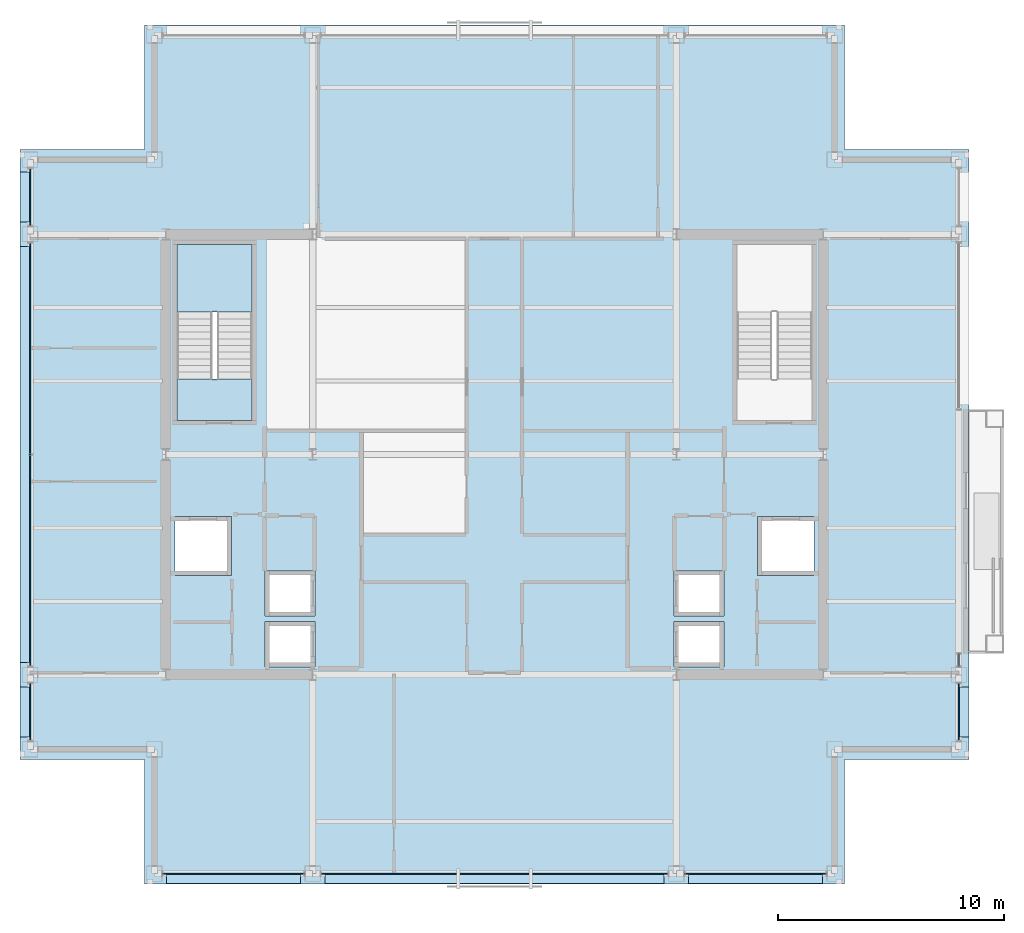
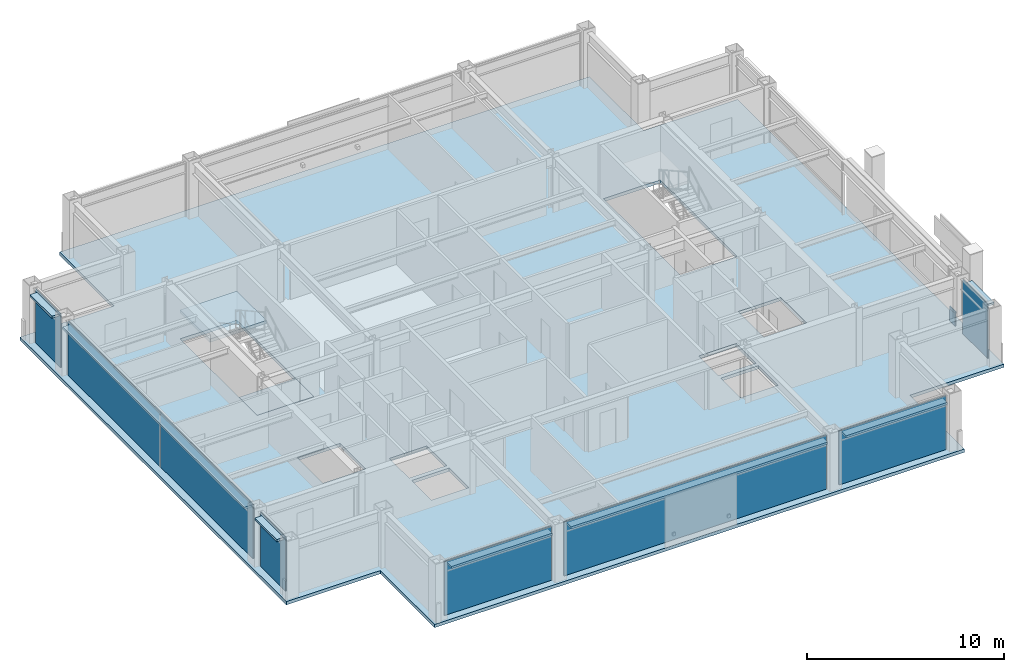
# One storey, part 23 of 30: 16 plates, 3 slabs, 1 member, 9 elements without a shape of their own.
"""IFC4 building model written with IfcOpenShell, lengths in metres."""

from ifc_helpers import new_model, si_unit, direction, frame, origin, origin_2d, place, context, subcontext, project, spatial, polyline, rectangle, hollow_rectangle, outline, extrude, material, layer, layer_set, material_profile, profile_set, type_object, element, aggregate, save


model = new_model("IFC4")

# Units and contexts
model_context = context("Model", 3, precision=1e-05, world=origin(), true_north=direction((0.0, 1.0)))
body_context = subcontext(model_context, "Body", "Model", "MODEL_VIEW")
ifc_project = project(units=[si_unit("LENGTHUNIT", "METRE"), si_unit("AREAUNIT", "SQUARE_METRE"), si_unit("VOLUMEUNIT", "CUBIC_METRE"), si_unit("PLANEANGLEUNIT", "RADIAN"), si_unit("MASSUNIT", "GRAM", prefix="KILO")], contexts=[model_context])

# Site, building, storey
site_placement = place(None, origin())
site = spatial("IfcSite", under=ifc_project, at=site_placement, CompositionType="ELEMENT")
building_placement = place(site_placement, origin())
building = spatial("IfcBuilding", under=site, at=building_placement, Name="Brelmoor Portico Tower", CompositionType="ELEMENT")
storey_placement = place(building_placement, frame((0.0, 0.0, 187.5)))
storey = spatial("IfcBuildingStorey", under=building, at=storey_placement, Name="L49", CompositionType="ELEMENT", Elevation=187.5)

# Curtain wall, member
ifc_material_1 = material(Name="Anodised Aluminium Alloy 6063-T6", Category="aluminium")
ifc_layer_1 = layer(ifc_material_1, 0.179931640625)
ifc_layer_set_1 = layer_set([ifc_layer_1], Name="Anodised Aluminium Alloy 6063-T6")
curtain_wall_type_1 = type_object("IfcCurtainWallType", Name="CW-TOWER-Z3", PredefinedType="NOTDEFINED", material=ifc_layer_set_1)
curtain_wall_1_placement = place(storey_placement, origin())
curtain_wall_1 = element("IfcCurtainWall", 1, at=curtain_wall_1_placement, inside=storey, type_object=curtain_wall_type_1, Name="L49 Curtain Wall CW-L49-4L-2", PredefinedType="NOTDEFINED")
ifc_material_profile = material_profile(ifc_material_1, hollow_rectangle(XDim=0.06005859375, YDim=0.125, WallThickness=0.00341796875, at=origin_2d()), Name="ALU TRANSOM 60x125")
ifc_profile_set = profile_set([ifc_material_profile], Name="Anodised Aluminium Alloy 6063-T6")
member_type = type_object("IfcMemberType", Name="MB-CW-TRAN-125", PredefinedType="USERDEFINED", material=ifc_profile_set)
member_placement = place(storey_placement, frame((20.550048828125, -9.389892578125, 0.85009765625), z_axis=(0.0, 1.0, 0.0), x_axis=(-1.0, 0.0, 0.0)))
member = element("IfcMember", 2, at=member_placement, type_object=member_type, Name="CW-L49-4L-2 Transom 1-00", ObjectType="TRANSOM", PredefinedType="USERDEFINED", context=body_context, shape_type="SweptSolid", body=[
    extrude(hollow_rectangle(XDim=0.06005859375, YDim=0.125, WallThickness=0.00341796875, at=origin_2d()), origin(), (0.0, 0.0, 1.0), 0.58984375),
])

# Curtain wall, plate
ifc_layer_2 = layer(ifc_material_1, 0.179931640625)
ifc_layer_set_2 = layer_set([ifc_layer_2], Name="Anodised Aluminium Alloy 6063-T6")
curtain_wall_type_2 = type_object("IfcCurtainWallType", Name="CW-TOWER-Z3-XB", PredefinedType="NOTDEFINED", material=ifc_layer_set_2)
curtain_wall_2_placement = place(storey_placement, origin())
curtain_wall_2 = element("IfcCurtainWall", 3, at=curtain_wall_2_placement, inside=storey, type_object=curtain_wall_type_2, Name="L49 Curtain Wall CW-L49-01-1", PredefinedType="NOTDEFINED")
ifc_material_2 = material(Name="Pale Champagne Anodised Aluminium Panel", Category="aluminium")
ifc_layer_3 = layer(ifc_material_2, 0.050048828125)
ifc_layer_set_3 = layer_set([ifc_layer_3], Name="Pale Champagne Anodised Aluminium Panel")
plate_type_1 = type_object("IfcPlateType", Name="PT-CW-SPANDREL", PredefinedType="SHEET", material=ifc_layer_set_3)
plate_1_placement = place(storey_placement, frame((-11.550048828125, -18.550048828125, 0.0), z_axis=(0.0, 0.0, 1.0), x_axis=(1.0, 0.0, 0.0)))
plate_1 = element("IfcPlate", 4, at=plate_1_placement, type_object=plate_type_1, Name="CW-L49-01-1 Spandrel Panel 00", PredefinedType="SHEET", context=body_context, shape_type="SweptSolid", body=[
    extrude(rectangle(XDim=6.25, YDim=0.050048828125, at=origin_2d()), origin(), (0.0, 0.0, 1.0), 3.33740234375),
])
aggregate(curtain_wall_2, [plate_1])

curtain_wall_3_placement = place(storey_placement, origin())
curtain_wall_3 = element("IfcCurtainWall", 5, at=curtain_wall_3_placement, inside=storey, type_object=curtain_wall_type_2, Name="L49 Curtain Wall CW-L49-01-2", PredefinedType="NOTDEFINED")
plate_2_placement = place(storey_placement, frame((0.0, -18.550048828125, 0.0), z_axis=(0.0, 0.0, 1.0), x_axis=(1.0, 0.0, 0.0)))
plate_2 = element("IfcPlate", 6, at=plate_2_placement, type_object=plate_type_1, Name="CW-L49-01-2 Spandrel Panel 00", PredefinedType="SHEET", context=body_context, shape_type="SweptSolid", body=[
    extrude(rectangle(XDim=15.35009765625, YDim=0.050048828125, at=origin_2d()), origin(), (0.0, 0.0, 1.0), 3.33740234375),
])
aggregate(curtain_wall_3, [plate_2])

curtain_wall_4_placement = place(storey_placement, origin())
curtain_wall_4 = element("IfcCurtainWall", 7, at=curtain_wall_4_placement, inside=storey, type_object=curtain_wall_type_2, Name="L49 Curtain Wall CW-L49-01-3", PredefinedType="NOTDEFINED")
plate_3_placement = place(storey_placement, frame((11.550048828125, -18.550048828125, 0.0), z_axis=(0.0, 0.0, 1.0), x_axis=(1.0, 0.0, 0.0)))
plate_3 = element("IfcPlate", 8, at=plate_3_placement, type_object=plate_type_1, Name="CW-L49-01-3 Spandrel Panel 00", PredefinedType="SHEET", context=body_context, shape_type="SweptSolid", body=[
    extrude(rectangle(XDim=6.25, YDim=0.050048828125, at=origin_2d()), origin(), (0.0, 0.0, 1.0), 3.33740234375),
])
aggregate(curtain_wall_4, [plate_3])

curtain_wall_5_placement = place(storey_placement, origin())
curtain_wall_5 = element("IfcCurtainWall", 9, at=curtain_wall_5_placement, inside=storey, type_object=curtain_wall_type_2, Name="L49 Curtain Wall CW-L49-03-1", PredefinedType="NOTDEFINED")
plate_4_placement = place(storey_placement, frame((-20.550048828125, -11.39990234375, 0.0), z_axis=(0.0, 0.0, 1.0), x_axis=(0.0, 1.0, 0.0)))
plate_4 = element("IfcPlate", 10, at=plate_4_placement, type_object=plate_type_1, Name="CW-L49-03-1 Spandrel Panel 00", PredefinedType="SHEET", context=body_context, shape_type="SweptSolid", body=[
    extrude(rectangle(XDim=2.550048828125, YDim=0.050048828125, at=origin_2d()), origin(), (0.0, 0.0, 1.0), 3.33740234375),
])
aggregate(curtain_wall_5, [plate_4])

# Curtain wall, plates
curtain_wall_6_placement = place(storey_placement, origin())
curtain_wall_6 = element("IfcCurtainWall", 11, at=curtain_wall_6_placement, inside=storey, type_object=curtain_wall_type_2, Name="L49 Curtain Wall CW-L49-03-2", PredefinedType="NOTDEFINED")
plate_5_placement = place(storey_placement, frame((-20.550048828125, -4.695068359375, 0.0), z_axis=(0.0, 0.0, 1.0), x_axis=(0.0, 1.0, 0.0)))
plate_5 = element("IfcPlate", 12, at=plate_5_placement, type_object=plate_type_1, Name="CW-L49-03-2 Spandrel Panel 00", PredefinedType="SHEET", context=body_context, shape_type="SweptSolid", body=[
    extrude(rectangle(XDim=9.360107421875, YDim=0.050048828125, at=origin_2d()), origin(), (0.0, 0.0, 1.0), 3.33740234375),
])
plate_6_placement = place(storey_placement, frame((-20.550048828125, 4.695068359375, 0.0), z_axis=(0.0, 0.0, 1.0), x_axis=(0.0, 1.0, 0.0)))
plate_6 = element("IfcPlate", 13, at=plate_6_placement, type_object=plate_type_1, Name="CW-L49-03-2 Spandrel Panel 01", PredefinedType="SHEET", context=body_context, shape_type="SweptSolid", body=[
    extrude(rectangle(XDim=9.360107421875, YDim=0.050048828125, at=origin_2d()), origin(), (0.0, 0.0, 1.0), 3.33740234375),
])
aggregate(curtain_wall_6, [plate_5, plate_6])

# Curtain wall, plate
curtain_wall_7_placement = place(storey_placement, origin())
curtain_wall_7 = element("IfcCurtainWall", 14, at=curtain_wall_7_placement, inside=storey, type_object=curtain_wall_type_2, Name="L49 Curtain Wall CW-L49-03-3", PredefinedType="NOTDEFINED")
plate_7_placement = place(storey_placement, frame((-20.550048828125, 11.39990234375, 0.0), z_axis=(0.0, 0.0, 1.0), x_axis=(0.0, 1.0, 0.0)))
plate_7 = element("IfcPlate", 15, at=plate_7_placement, type_object=plate_type_1, Name="CW-L49-03-3 Spandrel Panel 00", PredefinedType="SHEET", context=body_context, shape_type="SweptSolid", body=[
    extrude(rectangle(XDim=2.550048828125, YDim=0.050048828125, at=origin_2d()), origin(), (0.0, 0.0, 1.0), 3.33740234375),
])
aggregate(curtain_wall_7, [plate_7])

curtain_wall_8_placement = place(storey_placement, origin())
curtain_wall_8 = element("IfcCurtainWall", 16, at=curtain_wall_8_placement, inside=storey, type_object=curtain_wall_type_2, Name="L49 Curtain Wall CW-L49-4L-1", PredefinedType="NOTDEFINED")
plate_8_placement = place(storey_placement, frame((20.550048828125, -11.39990234375, 0.0), z_axis=(0.0, 0.0, 1.0), x_axis=(0.0, 1.0, 0.0)))
plate_8 = element("IfcPlate", 17, at=plate_8_placement, type_object=plate_type_1, Name="CW-L49-4L-1 Spandrel Panel 00", PredefinedType="SHEET", context=body_context, shape_type="SweptSolid", body=[
    extrude(rectangle(XDim=2.550048828125, YDim=0.050048828125, at=origin_2d()), origin(), (0.0, 0.0, 1.0), 3.33740234375),
])
aggregate(curtain_wall_8, [plate_8])

# Plate
plate_9_placement = place(storey_placement, frame((20.550048828125, -9.094970703125, 0.0), z_axis=(0.0, 0.0, 1.0), x_axis=(0.0, 1.0, 0.0)))
plate_9 = element("IfcPlate", 18, at=plate_9_placement, type_object=plate_type_1, Name="CW-L49-4L-2 Spandrel Panel 00", PredefinedType="SHEET", context=body_context, shape_type="SweptSolid", body=[
    extrude(rectangle(XDim=0.56005859375, YDim=0.050048828125, at=origin_2d()), origin(), (0.0, 0.0, 1.0), 0.85009765625),
])

aggregate(curtain_wall_1, [member, plate_9])

# Plates
ifc_material_3 = material(Name="Pale Champagne Perforated Aluminium Solar Screen", Category="aluminium")
ifc_layer_4 = layer(ifc_material_3, 0.054931640625)
ifc_layer_set_4 = layer_set([ifc_layer_4], Name="Pale Champagne Perforated Aluminium Solar Screen")
plate_type_2 = type_object("IfcPlateType", Name="PT-SOLAR-LOUVRE", PredefinedType="SHEET", material=ifc_layer_set_4)
plate_10_placement = place(storey_placement, frame((-11.550048828125, -18.760009765625, 3.08984375), z_axis=(0.0, 0.0, 1.0), x_axis=(1.0, 0.0, 0.0)))
element("IfcPlate", 19, at=plate_10_placement, inside=storey, type_object=plate_type_2, Name="CW-L49-01-1 Caribbean Brise-Soleil Solar Screen", PredefinedType="SHEET", context=body_context, shape_type="SweptSolid", body=[
    extrude(rectangle(XDim=5.919921875, YDim=0.4599609375, at=origin_2d()), origin(), (0.0, 0.0, 1.0), 0.139892578125),
])
plate_11_placement = place(storey_placement, frame((0.0, -18.760009765625, 3.08984375), z_axis=(0.0, 0.0, 1.0), x_axis=(1.0, 0.0, 0.0)))
element("IfcPlate", 20, at=plate_11_placement, inside=storey, type_object=plate_type_2, Name="CW-L49-01-2 Caribbean Brise-Soleil Solar Screen", PredefinedType="SHEET", context=body_context, shape_type="SweptSolid", body=[
    extrude(rectangle(XDim=15.02001953125, YDim=0.4599609375, at=origin_2d()), origin(), (0.0, 0.0, 1.0), 0.139892578125),
])
plate_12_placement = place(storey_placement, frame((11.550048828125, -18.760009765625, 3.08984375), z_axis=(0.0, 0.0, 1.0), x_axis=(1.0, 0.0, 0.0)))
element("IfcPlate", 21, at=plate_12_placement, inside=storey, type_object=plate_type_2, Name="CW-L49-01-3 Caribbean Brise-Soleil Solar Screen", PredefinedType="SHEET", context=body_context, shape_type="SweptSolid", body=[
    extrude(rectangle(XDim=5.919921875, YDim=0.4599609375, at=origin_2d()), origin(), (0.0, 0.0, 1.0), 0.139892578125),
])
plate_13_placement = place(storey_placement, frame((-20.760009765625, -11.39990234375, 3.08984375), z_axis=(0.0, 0.0, 1.0), x_axis=(0.0, 1.0, 0.0)))
element("IfcPlate", 22, at=plate_13_placement, inside=storey, type_object=plate_type_2, Name="CW-L49-03-1 Caribbean Brise-Soleil Solar Screen", PredefinedType="SHEET", context=body_context, shape_type="SweptSolid", body=[
    extrude(rectangle(XDim=2.219970703125, YDim=0.4599609375, at=origin_2d()), origin(), (0.0, 0.0, 1.0), 0.139892578125),
])
plate_14_placement = place(storey_placement, frame((-20.760009765625, 0.0, 3.08984375), z_axis=(0.0, 0.0, 1.0), x_axis=(0.0, 1.0, 0.0)))
element("IfcPlate", 23, at=plate_14_placement, inside=storey, type_object=plate_type_2, Name="CW-L49-03-2 Caribbean Brise-Soleil Solar Screen", PredefinedType="SHEET", context=body_context, shape_type="SweptSolid", body=[
    extrude(rectangle(XDim=18.419921875, YDim=0.4599609375, at=origin_2d()), origin(), (0.0, 0.0, 1.0), 0.139892578125),
])
for number, where, z_axis, x_axis, name in (
    (24, (-20.760009765625, 11.39990234375, 3.08984375), (0.0, 0.0, 1.0), (0.0, 1.0, 0.0), "CW-L49-03-3 Caribbean Brise-Soleil Solar Screen"),
    (25, (20.760009765625, -11.39990234375, 3.08984375), (0.0, 0.0, 1.0), (0.0, 1.0, 0.0), "CW-L49-4L-1 Caribbean Brise-Soleil Solar Screen"),
):
    element("IfcPlate", number, at=place(storey_placement, frame(where, z_axis=z_axis, x_axis=x_axis)), inside=storey, type_object=plate_type_2, Name=name, PredefinedType="SHEET", context=body_context, shape_type="SweptSolid", body=[
        extrude(rectangle(XDim=2.219970703125, YDim=0.4599609375, at=origin_2d()), origin(), (0.0, 0.0, 1.0), 0.139892578125),
    ])

# Slab
ifc_material_4 = material(Name="Concrete C40", Category="concrete")
ifc_layer_5 = layer(ifc_material_4, 0.199951171875)
ifc_layer_set_5 = layer_set([ifc_layer_5], Name="Concrete C40")
slab_type_1 = type_object("IfcSlabType", Name="SL-FLOOR-200", PredefinedType="FLOOR", material=ifc_layer_set_5)
slab_1_placement = place(storey_placement, frame((0.0, 0.0, -0.199951171875)))
element("IfcSlab", 26, at=slab_1_placement, inside=storey, type_object=slab_type_1, Name="L49 Main Structural Floor Slab", PredefinedType="FLOOR", context=body_context, shape_type="SweptSolid", body=[
    extrude(outline(polyline([(-15.5, -19.0), (15.5, -19.0), (15.5, -13.5), (21.0, -13.5), (21.0, 13.5), (15.5, 13.5), (15.5, 19.0), (-15.5, 19.0), (-15.5, 13.5), (-21.0, 13.5), (-21.0, -13.5), (-15.5, -13.5), (-15.5, -19.0)]), holes=[polyline([(-10.72998046875, 1.5), (-10.72998046875, 9.300048828125), (-14.050048828125, 9.300048828125), (-14.050048828125, 1.5), (-10.72998046875, 1.5)]), polyline([(14.050048828125, 1.5), (14.050048828125, 9.300048828125), (10.72998046875, 9.300048828125), (10.72998046875, 1.5), (14.050048828125, 1.5)]), polyline([(-10.14990234375, -9.39990234375), (-7.949951171875, -9.39990234375), (-7.949951171875, -7.39990234375), (-10.14990234375, -7.39990234375), (-10.14990234375, -9.39990234375)]), polyline([(-10.14990234375, -7.14990234375), (-7.949951171875, -7.14990234375), (-7.949951171875, -5.14990234375), (-10.14990234375, -5.14990234375), (-10.14990234375, -7.14990234375)]), polyline([(7.949951171875, -9.39990234375), (10.14990234375, -9.39990234375), (10.14990234375, -7.39990234375), (7.949951171875, -7.39990234375), (7.949951171875, -9.39990234375)]), polyline([(7.949951171875, -7.14990234375), (10.14990234375, -7.14990234375), (10.14990234375, -5.14990234375), (7.949951171875, -5.14990234375), (7.949951171875, -7.14990234375)]), polyline([(-14.14990234375, -5.35009765625), (-11.64990234375, -5.35009765625), (-11.64990234375, -2.75), (-14.14990234375, -2.75), (-14.14990234375, -5.35009765625)]), polyline([(11.64990234375, -5.35009765625), (14.14990234375, -5.35009765625), (14.14990234375, -2.75), (11.64990234375, -2.75), (11.64990234375, -5.35009765625)])]), origin(), (0.0, 0.0, 1.0), 0.199951171875),
])

# Stair, slab
stair_type = type_object("IfcStairType", Name="ST-CORE-W", PredefinedType="HALF_TURN_STAIR", material=ifc_material_4)
stair_placement = place(storey_placement, origin())
stair = element("IfcStair", 27, at=stair_placement, inside=storey, type_object=stair_type, Name="L49 Protected Core Exit Stair ST-W", PredefinedType="HALF_TURN_STAIR")
ifc_layer_6 = layer(ifc_material_4, 0.179931640625)
ifc_layer_set_6 = layer_set([ifc_layer_6], Name="Concrete C40")
slab_type_2 = type_object("IfcSlabType", Name="SL-LANDING-180", PredefinedType="LANDING", material=ifc_layer_set_6)
slab_2_placement = place(storey_placement, frame((0.0, 0.0, 1.60009765625)))
slab_2 = element("IfcSlab", 28, at=slab_2_placement, type_object=slab_type_2, Name="ST-W landing 1", PredefinedType="LANDING", context=body_context, shape_type="SweptSolid", body=[
    extrude(outline(polyline([(-10.72998046875, 6.300048828125), (-10.72998046875, 9.300048828125), (-14.050048828125, 9.300048828125), (-14.050048828125, 6.300048828125), (-10.72998046875, 6.300048828125)])), origin(), (0.0, 0.0, 1.0), 0.199951171875),
])
aggregate(stair, [slab_2])

# Slab
ifc_layer_7 = layer(ifc_material_4, 0.199951171875)
ifc_layer_set_7 = layer_set([ifc_layer_7], Name="Concrete C40")
slab_type_3 = type_object("IfcSlabType", Name="SL-STAIR-FL200", PredefinedType="LANDING", material=ifc_layer_set_7)
slab_3_placement = place(storey_placement, frame((0.0, 0.0, -0.199951171875)))
element("IfcSlab", 29, at=slab_3_placement, inside=storey, type_object=slab_type_3, Name="L49 ST-W Structural Floor Landing Slab", PredefinedType="LANDING", context=body_context, shape_type="SweptSolid", body=[
    extrude(outline(polyline([(-10.72998046875, 1.5), (-10.72998046875, 3.35009765625), (-14.050048828125, 3.35009765625), (-14.050048828125, 1.5), (-10.72998046875, 1.5)])), origin(), (0.0, 0.0, 1.0), 0.199951171875),
])

save(model, "model.ifc")
